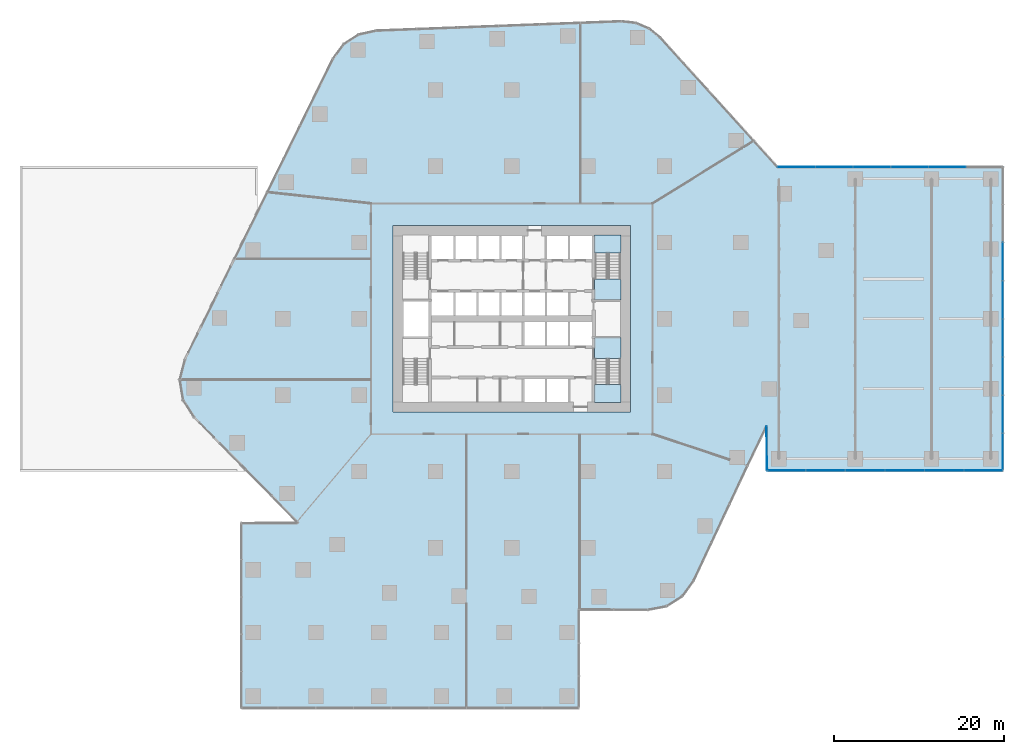
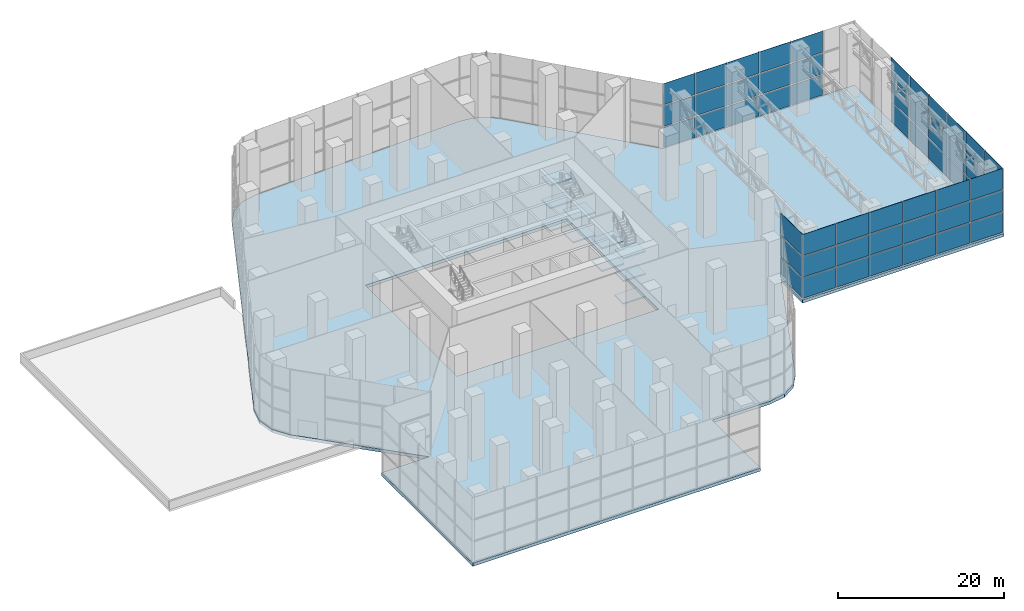
# One storey, part 13 of 21: 54 plates, 11 slabs, 6 elements without a shape of their own.
"""IFC4 building model written with IfcOpenShell, lengths in metres."""

from ifc_helpers import new_model, si_unit, direction, frame, origin, origin_2d, place, context, subcontext, project, spatial, polyline, rectangle, outline, extrude, material, layer, layer_set, type_object, element, aggregate, save


model = new_model("IFC4")

# Units and contexts
model_context = context("Model", 3, precision=1e-05, world=origin(), true_north=direction((0.0, 1.0)))
body_context = subcontext(model_context, "Body", "Model", "MODEL_VIEW")
ifc_project = project(units=[si_unit("LENGTHUNIT", "METRE"), si_unit("AREAUNIT", "SQUARE_METRE"), si_unit("VOLUMEUNIT", "CUBIC_METRE"), si_unit("PLANEANGLEUNIT", "RADIAN"), si_unit("MASSUNIT", "GRAM", prefix="KILO")], contexts=[model_context])

# Site, building, storey
site_placement = place(None, origin())
site = spatial("IfcSite", under=ifc_project, at=site_placement, CompositionType="ELEMENT")
building_placement = place(site_placement, origin())
building = spatial("IfcBuilding", under=site, at=building_placement, Name="Dongbaek Canopy Tower", CompositionType="ELEMENT")
storey_placement = place(building_placement, frame((0.0, 0.0, 9.0)))
storey = spatial("IfcBuildingStorey", under=building, at=storey_placement, Name="L01", CompositionType="ELEMENT", Elevation=9.0)

# Curtain wall, plates
ifc_material_1 = material(Name="Aluminium 6063-T6 pale anodised", Category="aluminium")
ifc_layer_1 = layer(ifc_material_1, 0.300048828125)
ifc_layer_set_1 = layer_set([ifc_layer_1], Name="CW-2 podium hall curtain wall")
curtain_wall_type = type_object("IfcCurtainWallType", Name="CW-2 podium hall curtain wall", PredefinedType="NOTDEFINED", material=ifc_layer_set_1)
curtain_wall_1_placement = place(storey_placement, origin())
curtain_wall_1 = element("IfcCurtainWall", 1, at=curtain_wall_1_placement, inside=storey, type_object=curtain_wall_type, Name="CW-2 curtain wall F1.1", PredefinedType="NOTDEFINED")
ifc_material_2 = material(Name="Clear laminated glass", Category="glass")
ifc_layer_2 = layer(ifc_material_2, 0.035888671875)
ifc_layer_set_2 = layer_set([ifc_layer_2], Name="CW-2 glazed panel 36")
plate_type_1 = type_object("IfcPlateType", Name="CW-2 glazed panel 36", PredefinedType="CURTAIN_PANEL", material=ifc_layer_set_2)
plate_1_placement = place(storey_placement, frame((30.07177734375, -15.2646484375, 0.159912109375), z_axis=(0.0, 0.0, 1.0), x_axis=(0.010728508095, -0.999942447901, 0.0)))
plate_1 = element("IfcPlate", 2, at=plate_1_placement, type_object=plate_type_1, Name="CW-2 panel F1.1.1.1", PredefinedType="CURTAIN_PANEL", context=body_context, shape_type="SweptSolid", body=[
    extrude(rectangle(XDim=5.1669921875, YDim=0.035888671875, at=origin_2d()), origin(), (0.0, 0.0, 1.0), 2.943359375),
])
plate_2_placement = place(storey_placement, frame((30.07177734375, -15.2646484375, 3.26318359375), z_axis=(0.0, 0.0, 1.0), x_axis=(0.010728508095, -0.999942447901, 0.0)))
plate_2 = element("IfcPlate", 3, at=plate_2_placement, type_object=plate_type_1, Name="CW-2 panel F1.1.1.2", PredefinedType="CURTAIN_PANEL", context=body_context, shape_type="SweptSolid", body=[
    extrude(rectangle(XDim=5.1669921875, YDim=0.035888671875, at=origin_2d()), origin(), (0.0, 0.0, 1.0), 3.0234375),
])

curtain_wall_2_placement = place(storey_placement, origin())
curtain_wall_2 = element("IfcCurtainWall", 4, at=curtain_wall_2_placement, inside=storey, type_object=curtain_wall_type, Name="CW-2 curtain wall F2.1", PredefinedType="NOTDEFINED")
plate_3_placement = place(storey_placement, frame((32.38330078125, -17.89990234375, 0.159912109375), z_axis=(0.0, 0.0, 1.0), x_axis=(1.0, 0.0, 0.0)))
plate_3 = element("IfcPlate", 5, at=plate_3_placement, type_object=plate_type_1, Name="CW-2 panel F2.1.1.1", PredefinedType="CURTAIN_PANEL", context=body_context, shape_type="SweptSolid", body=[
    extrude(rectangle(XDim=4.462646484375, YDim=0.035888671875, at=origin_2d()), origin(), (0.0, 0.0, 1.0), 2.943359375),
])
plate_4_placement = place(storey_placement, frame((32.38330078125, -17.89990234375, 3.26318359375), z_axis=(0.0, 0.0, 1.0), x_axis=(1.0, 0.0, 0.0)))
plate_4 = element("IfcPlate", 6, at=plate_4_placement, type_object=plate_type_1, Name="CW-2 panel F2.1.1.2", PredefinedType="CURTAIN_PANEL", context=body_context, shape_type="SweptSolid", body=[
    extrude(rectangle(XDim=4.462646484375, YDim=0.035888671875, at=origin_2d()), origin(), (0.0, 0.0, 1.0), 3.0234375),
])
plate_5_placement = place(storey_placement, frame((37.0, -17.89990234375, 0.159912109375), z_axis=(0.0, 0.0, 1.0), x_axis=(1.0, 0.0, 0.0)))
plate_5 = element("IfcPlate", 7, at=plate_5_placement, type_object=plate_type_1, Name="CW-2 panel F2.1.2.1", PredefinedType="CURTAIN_PANEL", context=body_context, shape_type="SweptSolid", body=[
    extrude(rectangle(XDim=4.562744140625, YDim=0.035888671875, at=origin_2d()), origin(), (0.0, 0.0, 1.0), 2.943359375),
])
plate_6_placement = place(storey_placement, frame((37.0, -17.89990234375, 3.26318359375), z_axis=(0.0, 0.0, 1.0), x_axis=(1.0, 0.0, 0.0)))
plate_6 = element("IfcPlate", 8, at=plate_6_placement, type_object=plate_type_1, Name="CW-2 panel F2.1.2.2", PredefinedType="CURTAIN_PANEL", context=body_context, shape_type="SweptSolid", body=[
    extrude(rectangle(XDim=4.562744140625, YDim=0.035888671875, at=origin_2d()), origin(), (0.0, 0.0, 1.0), 3.0234375),
])
plate_7_placement = place(storey_placement, frame((37.0, -17.89990234375, 6.44677734375), z_axis=(0.0, 0.0, 1.0), x_axis=(1.0, 0.0, 0.0)))
plate_7 = element("IfcPlate", 9, at=plate_7_placement, type_object=plate_type_1, Name="CW-2 panel F2.1.2.3", PredefinedType="CURTAIN_PANEL", context=body_context, shape_type="SweptSolid", body=[
    extrude(rectangle(XDim=4.562744140625, YDim=0.035888671875, at=origin_2d()), origin(), (0.0, 0.0, 1.0), 3.103271484375),
])
plate_8_placement = place(storey_placement, frame((41.666748046875, -17.89990234375, 0.159912109375), z_axis=(0.0, 0.0, 1.0), x_axis=(1.0, 0.0, 0.0)))
plate_8 = element("IfcPlate", 10, at=plate_8_placement, type_object=plate_type_1, Name="CW-2 panel F2.1.3.1", PredefinedType="CURTAIN_PANEL", context=body_context, shape_type="SweptSolid", body=[
    extrude(rectangle(XDim=4.562744140625, YDim=0.035888671875, at=origin_2d()), origin(), (0.0, 0.0, 1.0), 2.943359375),
])
plate_9_placement = place(storey_placement, frame((41.666748046875, -17.89990234375, 3.26318359375), z_axis=(0.0, 0.0, 1.0), x_axis=(1.0, 0.0, 0.0)))
plate_9 = element("IfcPlate", 11, at=plate_9_placement, type_object=plate_type_1, Name="CW-2 panel F2.1.3.2", PredefinedType="CURTAIN_PANEL", context=body_context, shape_type="SweptSolid", body=[
    extrude(rectangle(XDim=4.562744140625, YDim=0.035888671875, at=origin_2d()), origin(), (0.0, 0.0, 1.0), 3.0234375),
])
plate_10_placement = place(storey_placement, frame((46.333251953125, -17.89990234375, 0.159912109375), z_axis=(0.0, 0.0, 1.0), x_axis=(1.0, 0.0, 0.0)))
plate_10 = element("IfcPlate", 12, at=plate_10_placement, type_object=plate_type_1, Name="CW-2 panel F2.1.4.1", PredefinedType="CURTAIN_PANEL", context=body_context, shape_type="SweptSolid", body=[
    extrude(rectangle(XDim=4.562744140625, YDim=0.035888671875, at=origin_2d()), origin(), (0.0, 0.0, 1.0), 2.943359375),
])
plate_11_placement = place(storey_placement, frame((46.333251953125, -17.89990234375, 3.26318359375), z_axis=(0.0, 0.0, 1.0), x_axis=(1.0, 0.0, 0.0)))
plate_11 = element("IfcPlate", 13, at=plate_11_placement, type_object=plate_type_1, Name="CW-2 panel F2.1.4.2", PredefinedType="CURTAIN_PANEL", context=body_context, shape_type="SweptSolid", body=[
    extrude(rectangle(XDim=4.562744140625, YDim=0.035888671875, at=origin_2d()), origin(), (0.0, 0.0, 1.0), 3.0234375),
])
plate_12_placement = place(storey_placement, frame((46.333251953125, -17.89990234375, 6.44677734375), z_axis=(0.0, 0.0, 1.0), x_axis=(1.0, 0.0, 0.0)))
plate_12 = element("IfcPlate", 14, at=plate_12_placement, type_object=plate_type_1, Name="CW-2 panel F2.1.4.3", PredefinedType="CURTAIN_PANEL", context=body_context, shape_type="SweptSolid", body=[
    extrude(rectangle(XDim=4.562744140625, YDim=0.035888671875, at=origin_2d()), origin(), (0.0, 0.0, 1.0), 3.103271484375),
])
plate_13_placement = place(storey_placement, frame((51.0, -17.89990234375, 0.159912109375), z_axis=(0.0, 0.0, 1.0), x_axis=(1.0, 0.0, 0.0)))
plate_13 = element("IfcPlate", 15, at=plate_13_placement, type_object=plate_type_1, Name="CW-2 panel F2.1.5.1", PredefinedType="CURTAIN_PANEL", context=body_context, shape_type="SweptSolid", body=[
    extrude(rectangle(XDim=4.562744140625, YDim=0.035888671875, at=origin_2d()), origin(), (0.0, 0.0, 1.0), 2.943359375),
])
plate_14_placement = place(storey_placement, frame((51.0, -17.89990234375, 3.26318359375), z_axis=(0.0, 0.0, 1.0), x_axis=(1.0, 0.0, 0.0)))
plate_14 = element("IfcPlate", 16, at=plate_14_placement, type_object=plate_type_1, Name="CW-2 panel F2.1.5.2", PredefinedType="CURTAIN_PANEL", context=body_context, shape_type="SweptSolid", body=[
    extrude(rectangle(XDim=4.562744140625, YDim=0.035888671875, at=origin_2d()), origin(), (0.0, 0.0, 1.0), 3.0234375),
])
plate_15_placement = place(storey_placement, frame((55.61669921875, -17.89990234375, 0.159912109375), z_axis=(0.0, 0.0, 1.0), x_axis=(1.0, 0.0, 0.0)))
plate_15 = element("IfcPlate", 17, at=plate_15_placement, type_object=plate_type_1, Name="CW-2 panel F2.1.6.1", PredefinedType="CURTAIN_PANEL", context=body_context, shape_type="SweptSolid", body=[
    extrude(rectangle(XDim=4.462646484375, YDim=0.035888671875, at=origin_2d()), origin(), (0.0, 0.0, 1.0), 2.943359375),
])
plate_16_placement = place(storey_placement, frame((55.61669921875, -17.89990234375, 3.26318359375), z_axis=(0.0, 0.0, 1.0), x_axis=(1.0, 0.0, 0.0)))
plate_16 = element("IfcPlate", 18, at=plate_16_placement, type_object=plate_type_1, Name="CW-2 panel F2.1.6.2", PredefinedType="CURTAIN_PANEL", context=body_context, shape_type="SweptSolid", body=[
    extrude(rectangle(XDim=4.462646484375, YDim=0.035888671875, at=origin_2d()), origin(), (0.0, 0.0, 1.0), 3.0234375),
])

curtain_wall_3_placement = place(storey_placement, origin())
curtain_wall_3 = element("IfcCurtainWall", 19, at=curtain_wall_3_placement, inside=storey, type_object=curtain_wall_type, Name="CW-2 curtain wall F3.1", PredefinedType="NOTDEFINED")
plate_17_placement = place(storey_placement, frame((57.89990234375, -15.699951171875, 0.159912109375), z_axis=(0.0, 0.0, 1.0), x_axis=(0.0, 1.0, 0.0)))
plate_17 = element("IfcPlate", 20, at=plate_17_placement, type_object=plate_type_1, Name="CW-2 panel F3.1.1.1", PredefinedType="CURTAIN_PANEL", context=body_context, shape_type="SweptSolid", body=[
    extrude(rectangle(XDim=4.2958984375, YDim=0.035888671875, at=origin_2d()), origin(), (0.0, 0.0, 1.0), 2.943359375),
])
plate_18_placement = place(storey_placement, frame((57.89990234375, -15.699951171875, 3.26318359375), z_axis=(0.0, 0.0, 1.0), x_axis=(0.0, 1.0, 0.0)))
plate_18 = element("IfcPlate", 21, at=plate_18_placement, type_object=plate_type_1, Name="CW-2 panel F3.1.1.2", PredefinedType="CURTAIN_PANEL", context=body_context, shape_type="SweptSolid", body=[
    extrude(rectangle(XDim=4.2958984375, YDim=0.035888671875, at=origin_2d()), origin(), (0.0, 0.0, 1.0), 3.0234375),
])
plate_19_placement = place(storey_placement, frame((57.89990234375, -11.25, 0.159912109375), z_axis=(0.0, 0.0, 1.0), x_axis=(0.0, 1.0, 0.0)))
plate_19 = element("IfcPlate", 22, at=plate_19_placement, type_object=plate_type_1, Name="CW-2 panel F3.1.2.1", PredefinedType="CURTAIN_PANEL", context=body_context, shape_type="SweptSolid", body=[
    extrude(rectangle(XDim=4.39599609375, YDim=0.035888671875, at=origin_2d()), origin(), (0.0, 0.0, 1.0), 2.943359375),
])
plate_20_placement = place(storey_placement, frame((57.89990234375, -11.25, 3.26318359375), z_axis=(0.0, 0.0, 1.0), x_axis=(0.0, 1.0, 0.0)))
plate_20 = element("IfcPlate", 23, at=plate_20_placement, type_object=plate_type_1, Name="CW-2 panel F3.1.2.2", PredefinedType="CURTAIN_PANEL", context=body_context, shape_type="SweptSolid", body=[
    extrude(rectangle(XDim=4.39599609375, YDim=0.035888671875, at=origin_2d()), origin(), (0.0, 0.0, 1.0), 3.0234375),
])
plate_21_placement = place(storey_placement, frame((57.89990234375, -6.75, 0.159912109375), z_axis=(0.0, 0.0, 1.0), x_axis=(0.0, 1.0, 0.0)))
plate_21 = element("IfcPlate", 24, at=plate_21_placement, type_object=plate_type_1, Name="CW-2 panel F3.1.3.1", PredefinedType="CURTAIN_PANEL", context=body_context, shape_type="SweptSolid", body=[
    extrude(rectangle(XDim=4.39599609375, YDim=0.035888671875, at=origin_2d()), origin(), (0.0, 0.0, 1.0), 2.943359375),
])
plate_22_placement = place(storey_placement, frame((57.89990234375, -6.75, 3.26318359375), z_axis=(0.0, 0.0, 1.0), x_axis=(0.0, 1.0, 0.0)))
plate_22 = element("IfcPlate", 25, at=plate_22_placement, type_object=plate_type_1, Name="CW-2 panel F3.1.3.2", PredefinedType="CURTAIN_PANEL", context=body_context, shape_type="SweptSolid", body=[
    extrude(rectangle(XDim=4.39599609375, YDim=0.035888671875, at=origin_2d()), origin(), (0.0, 0.0, 1.0), 3.0234375),
])
plate_23_placement = place(storey_placement, frame((57.89990234375, -2.25, 0.159912109375), z_axis=(0.0, 0.0, 1.0), x_axis=(0.0, 1.0, 0.0)))
plate_23 = element("IfcPlate", 26, at=plate_23_placement, type_object=plate_type_1, Name="CW-2 panel F3.1.4.1", PredefinedType="CURTAIN_PANEL", context=body_context, shape_type="SweptSolid", body=[
    extrude(rectangle(XDim=4.39599609375, YDim=0.035888671875, at=origin_2d()), origin(), (0.0, 0.0, 1.0), 2.943359375),
])
plate_24_placement = place(storey_placement, frame((57.89990234375, -2.25, 3.26318359375), z_axis=(0.0, 0.0, 1.0), x_axis=(0.0, 1.0, 0.0)))
plate_24 = element("IfcPlate", 27, at=plate_24_placement, type_object=plate_type_1, Name="CW-2 panel F3.1.4.2", PredefinedType="CURTAIN_PANEL", context=body_context, shape_type="SweptSolid", body=[
    extrude(rectangle(XDim=4.39599609375, YDim=0.035888671875, at=origin_2d()), origin(), (0.0, 0.0, 1.0), 3.0234375),
])
plate_25_placement = place(storey_placement, frame((57.89990234375, 2.25, 0.159912109375), z_axis=(0.0, 0.0, 1.0), x_axis=(0.0, 1.0, 0.0)))
plate_25 = element("IfcPlate", 28, at=plate_25_placement, type_object=plate_type_1, Name="CW-2 panel F3.1.5.1", PredefinedType="CURTAIN_PANEL", context=body_context, shape_type="SweptSolid", body=[
    extrude(rectangle(XDim=4.39599609375, YDim=0.035888671875, at=origin_2d()), origin(), (0.0, 0.0, 1.0), 2.943359375),
])
plate_26_placement = place(storey_placement, frame((57.89990234375, 2.25, 3.26318359375), z_axis=(0.0, 0.0, 1.0), x_axis=(0.0, 1.0, 0.0)))
plate_26 = element("IfcPlate", 29, at=plate_26_placement, type_object=plate_type_1, Name="CW-2 panel F3.1.5.2", PredefinedType="CURTAIN_PANEL", context=body_context, shape_type="SweptSolid", body=[
    extrude(rectangle(XDim=4.39599609375, YDim=0.035888671875, at=origin_2d()), origin(), (0.0, 0.0, 1.0), 3.0234375),
])
plate_27_placement = place(storey_placement, frame((57.89990234375, 6.75, 0.159912109375), z_axis=(0.0, 0.0, 1.0), x_axis=(0.0, 1.0, 0.0)))
plate_27 = element("IfcPlate", 30, at=plate_27_placement, type_object=plate_type_1, Name="CW-2 panel F3.1.6.1", PredefinedType="CURTAIN_PANEL", context=body_context, shape_type="SweptSolid", body=[
    extrude(rectangle(XDim=4.39599609375, YDim=0.035888671875, at=origin_2d()), origin(), (0.0, 0.0, 1.0), 2.943359375),
])
plate_28_placement = place(storey_placement, frame((57.89990234375, 6.75, 3.26318359375), z_axis=(0.0, 0.0, 1.0), x_axis=(0.0, 1.0, 0.0)))
plate_28 = element("IfcPlate", 31, at=plate_28_placement, type_object=plate_type_1, Name="CW-2 panel F3.1.6.2", PredefinedType="CURTAIN_PANEL", context=body_context, shape_type="SweptSolid", body=[
    extrude(rectangle(XDim=4.39599609375, YDim=0.035888671875, at=origin_2d()), origin(), (0.0, 0.0, 1.0), 3.0234375),
])

curtain_wall_4_placement = place(storey_placement, origin())
curtain_wall_4 = element("IfcCurtainWall", 32, at=curtain_wall_4_placement, inside=storey, type_object=curtain_wall_type, Name="CW-2 curtain wall F4.1", PredefinedType="NOTDEFINED")
plate_29_placement = place(storey_placement, frame((51.345703125, 17.89990234375, 0.159912109375), z_axis=(0.0, 0.0, 1.0), x_axis=(-1.0, 0.0, 0.0)))
plate_29 = element("IfcPlate", 33, at=plate_29_placement, type_object=plate_type_1, Name="CW-2 panel F4.1.2.1", PredefinedType="CURTAIN_PANEL", context=body_context, shape_type="SweptSolid", body=[
    extrude(rectangle(XDim=4.332275390625, YDim=0.035888671875, at=origin_2d()), origin(), (0.0, 0.0, 1.0), 2.943359375),
])
plate_30_placement = place(storey_placement, frame((51.345703125, 17.89990234375, 3.26318359375), z_axis=(0.0, 0.0, 1.0), x_axis=(-1.0, 0.0, 0.0)))
plate_30 = element("IfcPlate", 34, at=plate_30_placement, type_object=plate_type_1, Name="CW-2 panel F4.1.2.2", PredefinedType="CURTAIN_PANEL", context=body_context, shape_type="SweptSolid", body=[
    extrude(rectangle(XDim=4.332275390625, YDim=0.035888671875, at=origin_2d()), origin(), (0.0, 0.0, 1.0), 3.0234375),
])
plate_31_placement = place(storey_placement, frame((46.909423828125, 17.89990234375, 0.159912109375), z_axis=(0.0, 0.0, 1.0), x_axis=(-1.0, 0.0, 0.0)))
plate_31 = element("IfcPlate", 35, at=plate_31_placement, type_object=plate_type_1, Name="CW-2 panel F4.1.3.1", PredefinedType="CURTAIN_PANEL", context=body_context, shape_type="SweptSolid", body=[
    extrude(rectangle(XDim=4.332275390625, YDim=0.035888671875, at=origin_2d()), origin(), (0.0, 0.0, 1.0), 2.943359375),
])
plate_32_placement = place(storey_placement, frame((46.909423828125, 17.89990234375, 3.26318359375), z_axis=(0.0, 0.0, 1.0), x_axis=(-1.0, 0.0, 0.0)))
plate_32 = element("IfcPlate", 36, at=plate_32_placement, type_object=plate_type_1, Name="CW-2 panel F4.1.3.2", PredefinedType="CURTAIN_PANEL", context=body_context, shape_type="SweptSolid", body=[
    extrude(rectangle(XDim=4.332275390625, YDim=0.035888671875, at=origin_2d()), origin(), (0.0, 0.0, 1.0), 3.0234375),
])
plate_33_placement = place(storey_placement, frame((46.909423828125, 17.89990234375, 6.44677734375), z_axis=(0.0, 0.0, 1.0), x_axis=(-1.0, 0.0, 0.0)))
plate_33 = element("IfcPlate", 37, at=plate_33_placement, type_object=plate_type_1, Name="CW-2 panel F4.1.3.3", PredefinedType="CURTAIN_PANEL", context=body_context, shape_type="SweptSolid", body=[
    extrude(rectangle(XDim=4.332275390625, YDim=0.035888671875, at=origin_2d()), origin(), (0.0, 0.0, 1.0), 3.103271484375),
])
plate_34_placement = place(storey_placement, frame((42.473388671875, 17.89990234375, 0.159912109375), z_axis=(0.0, 0.0, 1.0), x_axis=(-1.0, 0.0, 0.0)))
plate_34 = element("IfcPlate", 38, at=plate_34_placement, type_object=plate_type_1, Name="CW-2 panel F4.1.4.1", PredefinedType="CURTAIN_PANEL", context=body_context, shape_type="SweptSolid", body=[
    extrude(rectangle(XDim=4.332275390625, YDim=0.035888671875, at=origin_2d()), origin(), (0.0, 0.0, 1.0), 2.943359375),
])
plate_35_placement = place(storey_placement, frame((42.473388671875, 17.89990234375, 3.26318359375), z_axis=(0.0, 0.0, 1.0), x_axis=(-1.0, 0.0, 0.0)))
plate_35 = element("IfcPlate", 39, at=plate_35_placement, type_object=plate_type_1, Name="CW-2 panel F4.1.4.2", PredefinedType="CURTAIN_PANEL", context=body_context, shape_type="SweptSolid", body=[
    extrude(rectangle(XDim=4.332275390625, YDim=0.035888671875, at=origin_2d()), origin(), (0.0, 0.0, 1.0), 3.0234375),
])
plate_36_placement = place(storey_placement, frame((38.037109375, 17.89990234375, 0.159912109375), z_axis=(0.0, 0.0, 1.0), x_axis=(-1.0, 0.0, 0.0)))
plate_36 = element("IfcPlate", 40, at=plate_36_placement, type_object=plate_type_1, Name="CW-2 panel F4.1.5.1", PredefinedType="CURTAIN_PANEL", context=body_context, shape_type="SweptSolid", body=[
    extrude(rectangle(XDim=4.332275390625, YDim=0.035888671875, at=origin_2d()), origin(), (0.0, 0.0, 1.0), 2.943359375),
])
plate_37_placement = place(storey_placement, frame((38.037109375, 17.89990234375, 3.26318359375), z_axis=(0.0, 0.0, 1.0), x_axis=(-1.0, 0.0, 0.0)))
plate_37 = element("IfcPlate", 41, at=plate_37_placement, type_object=plate_type_1, Name="CW-2 panel F4.1.5.2", PredefinedType="CURTAIN_PANEL", context=body_context, shape_type="SweptSolid", body=[
    extrude(rectangle(XDim=4.332275390625, YDim=0.035888671875, at=origin_2d()), origin(), (0.0, 0.0, 1.0), 3.0234375),
])
plate_38_placement = place(storey_placement, frame((38.037109375, 17.89990234375, 6.44677734375), z_axis=(0.0, 0.0, 1.0), x_axis=(-1.0, 0.0, 0.0)))
plate_38 = element("IfcPlate", 42, at=plate_38_placement, type_object=plate_type_1, Name="CW-2 panel F4.1.5.3", PredefinedType="CURTAIN_PANEL", context=body_context, shape_type="SweptSolid", body=[
    extrude(rectangle(XDim=4.332275390625, YDim=0.035888671875, at=origin_2d()), origin(), (0.0, 0.0, 1.0), 3.103271484375),
])
plate_39_placement = place(storey_placement, frame((33.578857421875, 17.89990234375, 0.159912109375), z_axis=(0.0, 0.0, 1.0), x_axis=(-1.0, 0.0, 0.0)))
plate_39 = element("IfcPlate", 43, at=plate_39_placement, type_object=plate_type_1, Name="CW-2 panel F4.1.6.1", PredefinedType="CURTAIN_PANEL", context=body_context, shape_type="SweptSolid", body=[
    extrude(rectangle(XDim=4.37646484375, YDim=0.035888671875, at=origin_2d()), origin(), (0.0, 0.0, 1.0), 2.943359375),
])
plate_40_placement = place(storey_placement, frame((33.578857421875, 17.89990234375, 3.26318359375), z_axis=(0.0, 0.0, 1.0), x_axis=(-1.0, 0.0, 0.0)))
plate_40 = element("IfcPlate", 44, at=plate_40_placement, type_object=plate_type_1, Name="CW-2 panel F4.1.6.2", PredefinedType="CURTAIN_PANEL", context=body_context, shape_type="SweptSolid", body=[
    extrude(rectangle(XDim=4.37646484375, YDim=0.035888671875, at=origin_2d()), origin(), (0.0, 0.0, 1.0), 3.0234375),
])

# Plate
ifc_material_3 = material(Name="Insulated aluminium spandrel panel", Category="aluminium")
ifc_layer_3 = layer(ifc_material_3, 0.035888671875)
ifc_layer_set_3 = layer_set([ifc_layer_3], Name="CW-2 spandrel panel 36")
plate_type_2 = type_object("IfcPlateType", Name="CW-2 spandrel panel 36", PredefinedType="CURTAIN_PANEL", material=ifc_layer_set_3)
plate_41_placement = place(storey_placement, frame((30.07177734375, -15.2646484375, 6.44677734375), z_axis=(0.0, 0.0, 1.0), x_axis=(0.010728508095, -0.999942447901, 0.0)))
plate_41 = element("IfcPlate", 45, at=plate_41_placement, type_object=plate_type_2, Name="CW-2 panel F1.1.1.3", PredefinedType="CURTAIN_PANEL", context=body_context, shape_type="SweptSolid", body=[
    extrude(rectangle(XDim=5.1669921875, YDim=0.035888671875, at=origin_2d()), origin(), (0.0, 0.0, 1.0), 3.103271484375),
])

aggregate(curtain_wall_1, [plate_1, plate_2, plate_41])

plate_42_placement = place(storey_placement, frame((32.38330078125, -17.89990234375, 6.44677734375), z_axis=(0.0, 0.0, 1.0), x_axis=(1.0, 0.0, 0.0)))
plate_42 = element("IfcPlate", 46, at=plate_42_placement, type_object=plate_type_2, Name="CW-2 panel F2.1.1.3", PredefinedType="CURTAIN_PANEL", context=body_context, shape_type="SweptSolid", body=[
    extrude(rectangle(XDim=4.462646484375, YDim=0.035888671875, at=origin_2d()), origin(), (0.0, 0.0, 1.0), 3.103271484375),
])

plate_43_placement = place(storey_placement, frame((41.666748046875, -17.89990234375, 6.44677734375), z_axis=(0.0, 0.0, 1.0), x_axis=(1.0, 0.0, 0.0)))
plate_43 = element("IfcPlate", 47, at=plate_43_placement, type_object=plate_type_2, Name="CW-2 panel F2.1.3.3", PredefinedType="CURTAIN_PANEL", context=body_context, shape_type="SweptSolid", body=[
    extrude(rectangle(XDim=4.562744140625, YDim=0.035888671875, at=origin_2d()), origin(), (0.0, 0.0, 1.0), 3.103271484375),
])

plate_44_placement = place(storey_placement, frame((51.0, -17.89990234375, 6.44677734375), z_axis=(0.0, 0.0, 1.0), x_axis=(1.0, 0.0, 0.0)))
plate_44 = element("IfcPlate", 48, at=plate_44_placement, type_object=plate_type_2, Name="CW-2 panel F2.1.5.3", PredefinedType="CURTAIN_PANEL", context=body_context, shape_type="SweptSolid", body=[
    extrude(rectangle(XDim=4.562744140625, YDim=0.035888671875, at=origin_2d()), origin(), (0.0, 0.0, 1.0), 3.103271484375),
])

plate_45_placement = place(storey_placement, frame((55.61669921875, -17.89990234375, 6.44677734375), z_axis=(0.0, 0.0, 1.0), x_axis=(1.0, 0.0, 0.0)))
plate_45 = element("IfcPlate", 49, at=plate_45_placement, type_object=plate_type_2, Name="CW-2 panel F2.1.6.3", PredefinedType="CURTAIN_PANEL", context=body_context, shape_type="SweptSolid", body=[
    extrude(rectangle(XDim=4.462646484375, YDim=0.035888671875, at=origin_2d()), origin(), (0.0, 0.0, 1.0), 3.103271484375),
])

aggregate(curtain_wall_2, [plate_3, plate_4, plate_42, plate_5, plate_6, plate_7, plate_8, plate_9, plate_43, plate_10, plate_11, plate_12, plate_13, plate_14, plate_44, plate_15, plate_16, plate_45])

plate_46_placement = place(storey_placement, frame((57.89990234375, -15.699951171875, 6.44677734375), z_axis=(0.0, 0.0, 1.0), x_axis=(0.0, 1.0, 0.0)))
plate_46 = element("IfcPlate", 50, at=plate_46_placement, type_object=plate_type_2, Name="CW-2 panel F3.1.1.3", PredefinedType="CURTAIN_PANEL", context=body_context, shape_type="SweptSolid", body=[
    extrude(rectangle(XDim=4.2958984375, YDim=0.035888671875, at=origin_2d()), origin(), (0.0, 0.0, 1.0), 3.103271484375),
])

plate_47_placement = place(storey_placement, frame((57.89990234375, -11.25, 6.44677734375), z_axis=(0.0, 0.0, 1.0), x_axis=(0.0, 1.0, 0.0)))
plate_47 = element("IfcPlate", 51, at=plate_47_placement, type_object=plate_type_2, Name="CW-2 panel F3.1.2.3", PredefinedType="CURTAIN_PANEL", context=body_context, shape_type="SweptSolid", body=[
    extrude(rectangle(XDim=4.39599609375, YDim=0.035888671875, at=origin_2d()), origin(), (0.0, 0.0, 1.0), 3.103271484375),
])

plate_48_placement = place(storey_placement, frame((57.89990234375, -6.75, 6.44677734375), z_axis=(0.0, 0.0, 1.0), x_axis=(0.0, 1.0, 0.0)))
plate_48 = element("IfcPlate", 52, at=plate_48_placement, type_object=plate_type_2, Name="CW-2 panel F3.1.3.3", PredefinedType="CURTAIN_PANEL", context=body_context, shape_type="SweptSolid", body=[
    extrude(rectangle(XDim=4.39599609375, YDim=0.035888671875, at=origin_2d()), origin(), (0.0, 0.0, 1.0), 3.103271484375),
])

plate_49_placement = place(storey_placement, frame((57.89990234375, -2.25, 6.44677734375), z_axis=(0.0, 0.0, 1.0), x_axis=(0.0, 1.0, 0.0)))
plate_49 = element("IfcPlate", 53, at=plate_49_placement, type_object=plate_type_2, Name="CW-2 panel F3.1.4.3", PredefinedType="CURTAIN_PANEL", context=body_context, shape_type="SweptSolid", body=[
    extrude(rectangle(XDim=4.39599609375, YDim=0.035888671875, at=origin_2d()), origin(), (0.0, 0.0, 1.0), 3.103271484375),
])

plate_50_placement = place(storey_placement, frame((57.89990234375, 2.25, 6.44677734375), z_axis=(0.0, 0.0, 1.0), x_axis=(0.0, 1.0, 0.0)))
plate_50 = element("IfcPlate", 54, at=plate_50_placement, type_object=plate_type_2, Name="CW-2 panel F3.1.5.3", PredefinedType="CURTAIN_PANEL", context=body_context, shape_type="SweptSolid", body=[
    extrude(rectangle(XDim=4.39599609375, YDim=0.035888671875, at=origin_2d()), origin(), (0.0, 0.0, 1.0), 3.103271484375),
])

plate_51_placement = place(storey_placement, frame((57.89990234375, 6.75, 6.44677734375), z_axis=(0.0, 0.0, 1.0), x_axis=(0.0, 1.0, 0.0)))
plate_51 = element("IfcPlate", 55, at=plate_51_placement, type_object=plate_type_2, Name="CW-2 panel F3.1.6.3", PredefinedType="CURTAIN_PANEL", context=body_context, shape_type="SweptSolid", body=[
    extrude(rectangle(XDim=4.39599609375, YDim=0.035888671875, at=origin_2d()), origin(), (0.0, 0.0, 1.0), 3.103271484375),
])

aggregate(curtain_wall_3, [plate_17, plate_18, plate_46, plate_19, plate_20, plate_47, plate_21, plate_22, plate_48, plate_23, plate_24, plate_49, plate_25, plate_26, plate_50, plate_27, plate_28, plate_51])

plate_52_placement = place(storey_placement, frame((51.345703125, 17.89990234375, 6.44677734375), z_axis=(0.0, 0.0, 1.0), x_axis=(-1.0, 0.0, 0.0)))
plate_52 = element("IfcPlate", 56, at=plate_52_placement, type_object=plate_type_2, Name="CW-2 panel F4.1.2.3", PredefinedType="CURTAIN_PANEL", context=body_context, shape_type="SweptSolid", body=[
    extrude(rectangle(XDim=4.332275390625, YDim=0.035888671875, at=origin_2d()), origin(), (0.0, 0.0, 1.0), 3.103271484375),
])

plate_53_placement = place(storey_placement, frame((42.473388671875, 17.89990234375, 6.44677734375), z_axis=(0.0, 0.0, 1.0), x_axis=(-1.0, 0.0, 0.0)))
plate_53 = element("IfcPlate", 57, at=plate_53_placement, type_object=plate_type_2, Name="CW-2 panel F4.1.4.3", PredefinedType="CURTAIN_PANEL", context=body_context, shape_type="SweptSolid", body=[
    extrude(rectangle(XDim=4.332275390625, YDim=0.035888671875, at=origin_2d()), origin(), (0.0, 0.0, 1.0), 3.103271484375),
])

plate_54_placement = place(storey_placement, frame((33.578857421875, 17.89990234375, 6.44677734375), z_axis=(0.0, 0.0, 1.0), x_axis=(-1.0, 0.0, 0.0)))
plate_54 = element("IfcPlate", 58, at=plate_54_placement, type_object=plate_type_2, Name="CW-2 panel F4.1.6.3", PredefinedType="CURTAIN_PANEL", context=body_context, shape_type="SweptSolid", body=[
    extrude(rectangle(XDim=4.37646484375, YDim=0.035888671875, at=origin_2d()), origin(), (0.0, 0.0, 1.0), 3.103271484375),
])

aggregate(curtain_wall_4, [plate_29, plate_30, plate_52, plate_31, plate_32, plate_33, plate_34, plate_35, plate_53, plate_36, plate_37, plate_38, plate_39, plate_40, plate_54])

# Stair, slabs
ifc_material_4 = material(Name="Concrete C40/50", Category="concrete")
stair_type = type_object("IfcStairType", Name="Core exit stair", PredefinedType="HALF_TURN_STAIR", material=ifc_material_4)
stair_1_placement = place(storey_placement, origin())
stair_1 = element("IfcStair", 59, at=stair_1_placement, inside=storey, type_object=stair_type, Name="L01 exit stair A", PredefinedType="HALF_TURN_STAIR")
ifc_material_5 = material(Name="Concrete C40/50", Category="concrete")
ifc_layer_4 = layer(ifc_material_5, 0.199951171875)
ifc_layer_set_4 = layer_set([ifc_layer_4], Name="Core stair landing 200")
slab_type_1 = type_object("IfcSlabType", Name="Core stair landing 200", PredefinedType="LANDING", material=ifc_layer_set_4)
slab_1_placement = place(storey_placement, frame((0.0, 0.0, 1.466552734375)))
slab_1 = element("IfcSlab", 60, at=slab_1_placement, type_object=slab_type_1, Name="ST-A landing 1", PredefinedType="LANDING", context=body_context, shape_type="SweptSolid", body=[
    extrude(outline(polyline([(12.875, 7.760009765625), (12.875, 9.875), (9.77490234375, 9.875), (9.77490234375, 7.760009765625), (12.875, 7.760009765625)])), origin(), (0.0, 0.0, 1.0), 0.2001953125),
])
slab_2_placement = place(storey_placement, frame((0.0, 0.0, 3.13330078125)))
slab_2 = element("IfcSlab", 61, at=slab_2_placement, type_object=slab_type_1, Name="ST-A landing 2", PredefinedType="LANDING", context=body_context, shape_type="SweptSolid", body=[
    extrude(outline(polyline([(12.875, 2.22509765625), (12.875, 4.699951171875), (9.77490234375, 4.699951171875), (9.77490234375, 2.22509765625), (12.875, 2.22509765625)])), origin(), (0.0, 0.0, 1.0), 0.199951171875),
])
slab_3_placement = place(storey_placement, frame((0.0, 0.0, 4.800048828125)))
slab_3 = element("IfcSlab", 62, at=slab_3_placement, type_object=slab_type_1, Name="ST-A landing 3", PredefinedType="LANDING", context=body_context, shape_type="SweptSolid", body=[
    extrude(outline(polyline([(12.875, 7.760009765625), (12.875, 9.875), (9.77490234375, 9.875), (9.77490234375, 7.760009765625), (12.875, 7.760009765625)])), origin(), (0.0, 0.0, 1.0), 0.199951171875),
])
slab_4_placement = place(storey_placement, frame((0.0, 0.0, 6.466552734375)))
slab_4 = element("IfcSlab", 63, at=slab_4_placement, type_object=slab_type_1, Name="ST-A landing 4", PredefinedType="LANDING", context=body_context, shape_type="SweptSolid", body=[
    extrude(outline(polyline([(12.875, 2.22509765625), (12.875, 4.699951171875), (9.77490234375, 4.699951171875), (9.77490234375, 2.22509765625), (12.875, 2.22509765625)])), origin(), (0.0, 0.0, 1.0), 0.2001953125),
])
slab_5_placement = place(storey_placement, frame((0.0, 0.0, 8.13330078125)))
slab_5 = element("IfcSlab", 64, at=slab_5_placement, type_object=slab_type_1, Name="ST-A landing 5", PredefinedType="LANDING", context=body_context, shape_type="SweptSolid", body=[
    extrude(outline(polyline([(12.875, 7.760009765625), (12.875, 9.875), (9.77490234375, 9.875), (9.77490234375, 7.760009765625), (12.875, 7.760009765625)])), origin(), (0.0, 0.0, 1.0), 0.199951171875),
])
aggregate(stair_1, [slab_1, slab_2, slab_3, slab_4, slab_5])

stair_2_placement = place(storey_placement, origin())
stair_2 = element("IfcStair", 65, at=stair_2_placement, inside=storey, type_object=stair_type, Name="L01 exit stair B", PredefinedType="HALF_TURN_STAIR")
slab_6_placement = place(storey_placement, frame((0.0, 0.0, 1.466552734375)))
slab_6 = element("IfcSlab", 66, at=slab_6_placement, type_object=slab_type_1, Name="ST-B landing 1", PredefinedType="LANDING", context=body_context, shape_type="SweptSolid", body=[
    extrude(outline(polyline([(9.77490234375, -7.760009765625), (9.77490234375, -9.875), (12.875, -9.875), (12.875, -7.760009765625), (9.77490234375, -7.760009765625)])), origin(), (0.0, 0.0, 1.0), 0.2001953125),
])
slab_7_placement = place(storey_placement, frame((0.0, 0.0, 3.13330078125)))
slab_7 = element("IfcSlab", 67, at=slab_7_placement, type_object=slab_type_1, Name="ST-B landing 2", PredefinedType="LANDING", context=body_context, shape_type="SweptSolid", body=[
    extrude(outline(polyline([(9.77490234375, -2.22509765625), (9.77490234375, -4.699951171875), (12.875, -4.699951171875), (12.875, -2.22509765625), (9.77490234375, -2.22509765625)])), origin(), (0.0, 0.0, 1.0), 0.199951171875),
])
slab_8_placement = place(storey_placement, frame((0.0, 0.0, 4.800048828125)))
slab_8 = element("IfcSlab", 68, at=slab_8_placement, type_object=slab_type_1, Name="ST-B landing 3", PredefinedType="LANDING", context=body_context, shape_type="SweptSolid", body=[
    extrude(outline(polyline([(9.77490234375, -7.760009765625), (9.77490234375, -9.875), (12.875, -9.875), (12.875, -7.760009765625), (9.77490234375, -7.760009765625)])), origin(), (0.0, 0.0, 1.0), 0.199951171875),
])
slab_9_placement = place(storey_placement, frame((0.0, 0.0, 6.466552734375)))
slab_9 = element("IfcSlab", 69, at=slab_9_placement, type_object=slab_type_1, Name="ST-B landing 4", PredefinedType="LANDING", context=body_context, shape_type="SweptSolid", body=[
    extrude(outline(polyline([(9.77490234375, -2.22509765625), (9.77490234375, -4.699951171875), (12.875, -4.699951171875), (12.875, -2.22509765625), (9.77490234375, -2.22509765625)])), origin(), (0.0, 0.0, 1.0), 0.2001953125),
])
slab_10_placement = place(storey_placement, frame((0.0, 0.0, 8.13330078125)))
slab_10 = element("IfcSlab", 70, at=slab_10_placement, type_object=slab_type_1, Name="ST-B landing 5", PredefinedType="LANDING", context=body_context, shape_type="SweptSolid", body=[
    extrude(outline(polyline([(9.77490234375, -7.760009765625), (9.77490234375, -9.875), (12.875, -9.875), (12.875, -7.760009765625), (9.77490234375, -7.760009765625)])), origin(), (0.0, 0.0, 1.0), 0.199951171875),
])
aggregate(stair_2, [slab_6, slab_7, slab_8, slab_9, slab_10])

# Slab
ifc_material_6 = material(Name="Concrete C40", Category="concrete")
ifc_layer_5 = layer(ifc_material_6, 0.449951171875)
ifc_layer_set_5 = layer_set([ifc_layer_5], Name="RC FLAT PLATE 450 Concrete C40")
slab_type_2 = type_object("IfcSlabType", Name="RC FLAT PLATE 450 Concrete C40", PredefinedType="FLOOR", material=ifc_layer_set_5)
slab_11_placement = place(storey_placement, frame((0.0, 0.0, -0.449951171875)))
element("IfcSlab", 71, at=slab_11_placement, inside=storey, type_object=slab_type_2, Name="SLAB:L01", PredefinedType="FLOOR", context=body_context, shape_type="SweptSolid", body=[
    extrude(outline(polyline([(8.0, -46.0), (-32.0, -46.0), (-32.0, -24.0), (-25.382080078125, -24.0), (-37.544921875, -11.651123046875), (-38.872314453125, -9.589111328125), (-39.263916015625, -7.168212890625), (-38.654052734375, -4.792724609375), (-21.17919921875, 30.7373046875), (-19.90771484375, 32.4580078125), (-18.113525390625, 33.623291015625), (-16.0244140625, 34.0849609375), (12.918701171875, 35.1923828125), (14.64892578125, 35.006103515625), (16.252685546875, 34.3310546875), (17.595458984375, 33.224365234375), (31.3828125, 18.0), (58.0, 18.0), (58.0, -18.0), (30.0, -18.0), (30.0, -12.824462890625), (21.506103515625, -30.960693359375), (20.1787109375, -32.791015625), (18.26806640625, -34.0), (16.0458984375, -34.416015625), (8.0, -34.380126953125), (8.0, -46.0)]), holes=[polyline([(14.0, 11.0), (-14.0, 11.0), (-14.0, -11.0), (14.0, -11.0), (14.0, 11.0)])]), origin(), (0.0, 0.0, 1.0), 0.449951171875),
])

save(model, "model.ifc")
